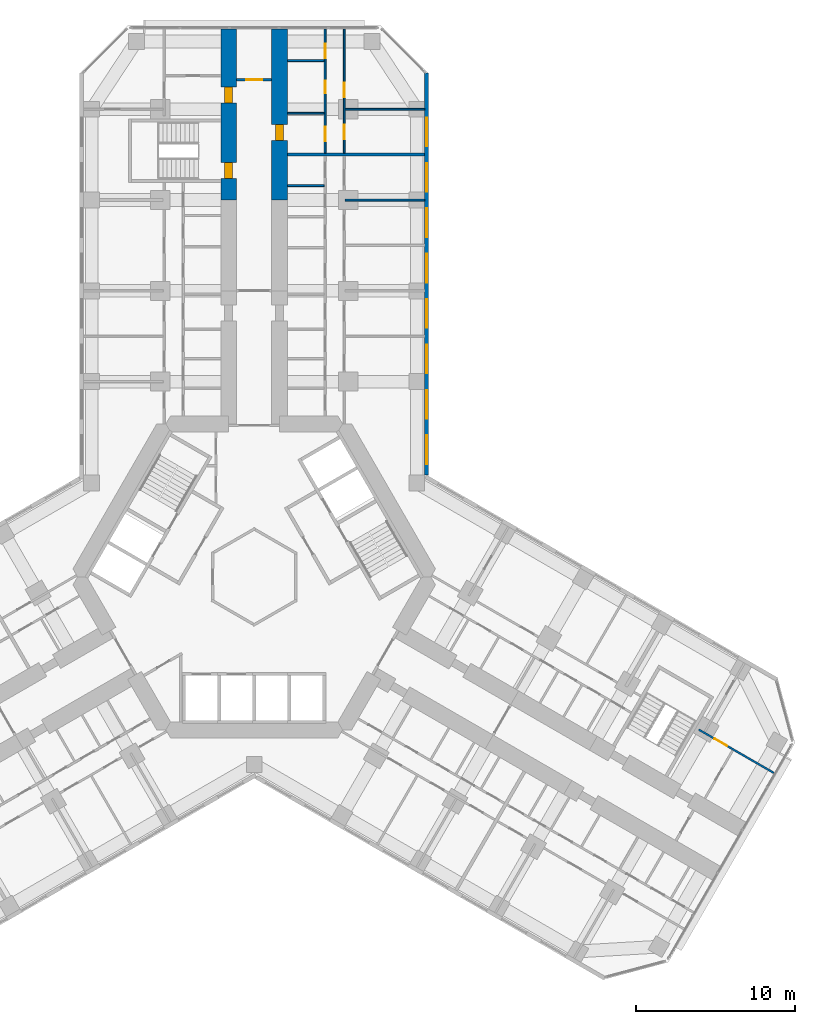
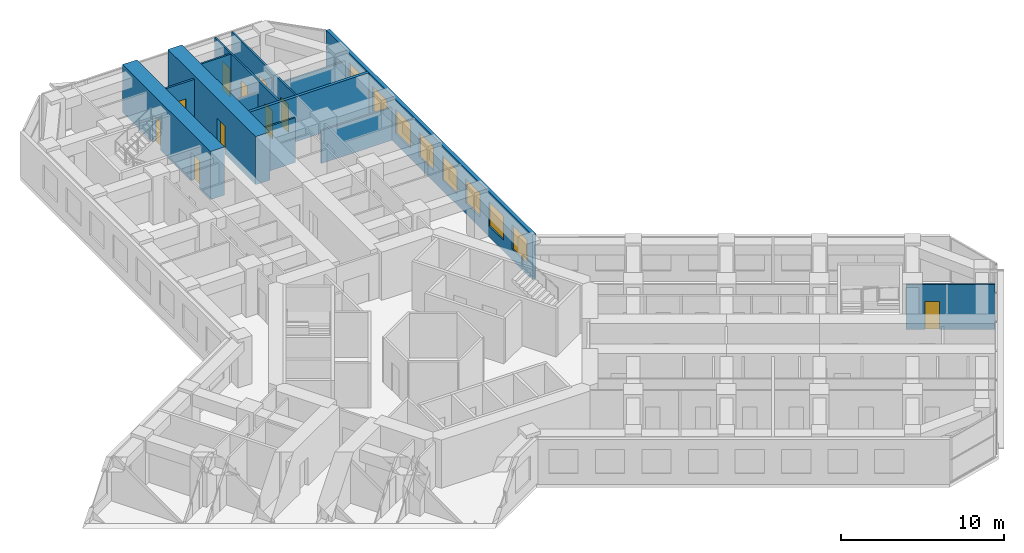
# One storey, part 19 of 21: 13 walls, 10 doors, 8 windows, 18 openings.
"""IFC4 building model written with IfcOpenShell, lengths in metres."""

from ifc_helpers import new_model, si_unit, direction, frame, frame_2d, origin, place, context, subcontext, project, spatial, rectangle, extrude, material, layer, layer_set, type_object, element, fill, save


model = new_model("IFC4")

# Units and contexts
model_context = context("Model", 3, precision=1e-05, world=origin(), true_north=direction((0.0, 1.0)))
body_context = subcontext(model_context, "Body", "Model", "MODEL_VIEW")
ifc_project = project(units=[si_unit("LENGTHUNIT", "METRE"), si_unit("AREAUNIT", "SQUARE_METRE"), si_unit("VOLUMEUNIT", "CUBIC_METRE"), si_unit("PLANEANGLEUNIT", "RADIAN"), si_unit("MASSUNIT", "GRAM", prefix="KILO")], contexts=[model_context])

# Site, building, storey
site_placement = place(None, origin())
site = spatial("IfcSite", under=ifc_project, at=site_placement, CompositionType="ELEMENT")
building_placement = place(site_placement, origin())
building = spatial("IfcBuilding", under=site, at=building_placement, Name="Kosmar Iwan School Tower", CompositionType="ELEMENT")
storey_placement = place(building_placement, frame((0.0, 0.0, 53.800048828125)))
storey = spatial("IfcBuildingStorey", under=building, at=storey_placement, Name="L12", CompositionType="ELEMENT", Elevation=53.800048828125)

# Wall, openings, doors
ifc_material_1 = material(Name="Concrete C50/60", Category="concrete")
ifc_layer_1 = layer(ifc_material_1, 1.0)
ifc_layer_set_1 = layer_set([ifc_layer_1], Name="Corridor buttress wall 1000")
wall_type_1 = type_object("IfcWallType", Name="Corridor buttress wall 1000", PredefinedType="SHEAR", material=ifc_layer_set_1)
wall_1_placement = place(storey_placement, frame((-1.60009765625, 23.64990234375, 0.0), z_axis=(0.0, 0.0, 1.0), x_axis=(0.0, 1.0, 0.0)))
wall_1 = element("IfcWall", 1, at=wall_1_placement, inside=storey, type_object=wall_type_1, Name="Corridor wall AL bay 3", PredefinedType="SHEAR", context=body_context, shape_type="SweptSolid", body=[
    extrude(rectangle(XDim=10.7451171875, YDim=1.0, at=frame_2d((5.37255859375, 0.0))), origin(), (0.0, 0.0, 1.0), 3.599853515625),
])
opening_1_placement = place(wall_1_placement, frame((6.10009765625, 0.0, 0.0)))
opening_1 = element("IfcOpeningElement", 2, at=opening_1_placement, cuts=wall_1, Name="Opening D1", PredefinedType="OPENING", context=body_context, shape_type="SweptSolid", body=[
    extrude(rectangle(XDim=1.0, YDim=2.10009765625, at=frame_2d((0.5, 1.050048828125))), frame((0.0, 0.511962890625, 0.0), z_axis=(0.0, -1.0, 0.0), x_axis=(1.0, 0.0, 0.0)), (0.0, 0.0, 1.0), 1.02392578125),
])
opening_2_placement = place(wall_1_placement, frame((1.35009765625, 0.0, 0.0)))
opening_2 = element("IfcOpeningElement", 3, at=opening_2_placement, cuts=wall_1, Name="Opening D6", PredefinedType="OPENING", context=body_context, shape_type="SweptSolid", body=[
    extrude(rectangle(XDim=1.0, YDim=2.10009765625, at=frame_2d((0.5, 1.050048828125))), frame((0.0, 0.511962890625, 0.0), z_axis=(0.0, -1.0, 0.0), x_axis=(1.0, 0.0, 0.0)), (0.0, 0.0, 1.0), 1.02392578125),
])
ifc_material_2 = material(Name="Timber fire door in steel frame", Category="steel")
door_type_1 = type_object("IfcDoorType", Name="Flat entrance door 1000x2100", OperationType="SINGLE_SWING_LEFT", PredefinedType="DOOR", material=ifc_material_2)
door_1_placement = place(opening_1_placement, origin())
door_1 = element("IfcDoor", 4, at=door_1_placement, inside=storey, type_object=door_type_1, Name="Flat L12-AL2 entrance door", OperationType="SINGLE_SWING_RIGHT", OverallHeight=2.10009765625, OverallWidth=1.0, PredefinedType="DOOR", context=body_context, shape_type="SweptSolid", body=[
    extrude(rectangle(XDim=1.0, YDim=2.10009765625, at=frame_2d((0.5, 1.050048828125))), frame((0.0, 0.25, 0.0), z_axis=(0.0, -1.0, 0.0), x_axis=(1.0, 0.0, 0.0)), (0.0, 0.0, 1.0), 0.5),
])
fill(opening_1, door_1)
ifc_material_3 = material(Name="Steel fire door", Category="steel")
door_type_2 = type_object("IfcDoorType", Name="Stair door 1000x2100", OperationType="SINGLE_SWING_LEFT", PredefinedType="DOOR", material=ifc_material_3)
door_2_placement = place(opening_2_placement, origin())
door_2 = element("IfcDoor", 5, at=door_2_placement, inside=storey, type_object=door_type_2, Name="Stair WS1 door L12", OperationType="SINGLE_SWING_LEFT", OverallHeight=2.10009765625, OverallWidth=1.0, PredefinedType="DOOR", context=body_context, shape_type="SweptSolid", body=[
    extrude(rectangle(XDim=1.0, YDim=2.10009765625, at=frame_2d((0.5, 1.050048828125))), frame((0.0, 0.25, 0.0), z_axis=(0.0, -1.0, 0.0), x_axis=(1.0, 0.0, 0.0)), (0.0, 0.0, 1.0), 0.5),
])
fill(opening_2, door_2)

# Wall, opening, door
wall_2_placement = place(storey_placement, frame((1.60009765625, 23.64990234375, 0.0), z_axis=(0.0, 0.0, 1.0), x_axis=(0.0, 1.0, 0.0)))
wall_2 = element("IfcWall", 6, at=wall_2_placement, inside=storey, type_object=wall_type_1, Name="Corridor wall AR bay 3", PredefinedType="SHEAR", context=body_context, shape_type="SweptSolid", body=[
    extrude(rectangle(XDim=10.7451171875, YDim=1.0, at=frame_2d((5.37255859375, 0.0))), origin(), (0.0, 0.0, 1.0), 3.599853515625),
])
opening_3_placement = place(wall_2_placement, frame((3.75, 0.0, 0.0)))
opening_3 = element("IfcOpeningElement", 7, at=opening_3_placement, cuts=wall_2, Name="Opening D1", PredefinedType="OPENING", context=body_context, shape_type="SweptSolid", body=[
    extrude(rectangle(XDim=1.0, YDim=2.10009765625, at=frame_2d((0.5, 1.050048828125))), frame((0.0, 0.511962890625, 0.0), z_axis=(0.0, -1.0, 0.0), x_axis=(1.0, 0.0, 0.0)), (0.0, 0.0, 1.0), 1.02392578125),
])
door_3_placement = place(opening_3_placement, origin())
door_3 = element("IfcDoor", 8, at=door_3_placement, inside=storey, type_object=door_type_1, Name="Flat L12-AR2 entrance door", OperationType="SINGLE_SWING_RIGHT", OverallHeight=2.10009765625, OverallWidth=1.0, PredefinedType="DOOR", context=body_context, shape_type="SweptSolid", body=[
    extrude(rectangle(XDim=1.0, YDim=2.10009765625, at=frame_2d((0.5, 1.050048828125))), frame((0.0, 0.25, 0.0), z_axis=(0.0, -1.0, 0.0), x_axis=(1.0, 0.0, 0.0)), (0.0, 0.0, 1.0), 0.5),
])
fill(opening_3, door_3)

ifc_material_4 = material(Name="Gypsum board on steel studs, fire-rated", Category="steel")
ifc_layer_2 = layer(ifc_material_4, 0.14990234375)
ifc_layer_set_2 = layer_set([ifc_layer_2], Name="Corridor end wall 150")
wall_type_2 = type_object("IfcWallType", Name="Corridor end wall 150", PredefinedType="PARTITIONING", material=ifc_layer_set_2)
wall_3_placement = place(storey_placement, frame((1.10009765625, 31.199951171875, 0.0), z_axis=(0.0, 0.0, 1.0), x_axis=(-1.0, 0.0, 0.0)))
wall_3 = element("IfcWall", 9, at=wall_3_placement, inside=storey, type_object=wall_type_2, Name="Partition L12-A-CE", PredefinedType="PARTITIONING", context=body_context, shape_type="SweptSolid", body=[
    extrude(rectangle(XDim=2.2001953125, YDim=0.14990234375, at=frame_2d((1.10009765625, 0.0))), origin(), (0.0, 0.0, 1.0), 3.349853515625),
])
opening_4_placement = place(wall_3_placement, frame((0.60009765625, 0.0, 0.0)))
opening_4 = element("IfcOpeningElement", 10, at=opening_4_placement, cuts=wall_3, Name="Opening D13", PredefinedType="OPENING", context=body_context, shape_type="SweptSolid", body=[
    extrude(rectangle(XDim=1.0, YDim=2.10009765625, at=frame_2d((0.5, 1.050048828125))), frame((0.0, 0.0869140625, 0.0), z_axis=(0.0, -1.0, 0.0), x_axis=(1.0, 0.0, 0.0)), (0.0, 0.0, 1.0), 0.173828125),
])
ifc_material_5 = material(Name="Timber fire door with vision panel", Category="wood")
door_type_3 = type_object("IfcDoorType", Name="Corridor end door 1000x2100", OperationType="SINGLE_SWING_LEFT", PredefinedType="DOOR", material=ifc_material_5)
door_4_placement = place(opening_4_placement, origin())
door_4 = element("IfcDoor", 11, at=door_4_placement, inside=storey, type_object=door_type_3, Name="Family study room door L12-A", OperationType="SINGLE_SWING_RIGHT", OverallHeight=2.10009765625, OverallWidth=1.0, PredefinedType="DOOR", context=body_context, shape_type="SweptSolid", body=[
    extrude(rectangle(XDim=1.0, YDim=2.10009765625, at=frame_2d((0.5, 1.050048828125))), frame((0.0, 0.02490234375, 0.0), z_axis=(0.0, -1.0, 0.0), x_axis=(1.0, 0.0, 0.0)), (0.0, 0.0, 1.0), 0.050048828125),
])
fill(opening_4, door_4)

# Walls
ifc_material_6 = material(Name="Gypsum board on steel studs", Category="steel")
ifc_layer_3 = layer(ifc_material_6, 0.1201171875)
ifc_layer_set_3 = layer_set([ifc_layer_3], Name="Dwelling partition 120")
wall_type_3 = type_object("IfcWallType", Name="Dwelling partition 120", PredefinedType="PARTITIONING", material=ifc_layer_set_3)
wall_4_placement = place(storey_placement, frame((5.7099609375, 23.64990234375, 0.0), z_axis=(0.0, 0.0, 1.0), x_axis=(1.0, 0.0, 0.0)))
element("IfcWall", 12, at=wall_4_placement, inside=storey, type_object=wall_type_3, Name="Partition L12-AR1-X4", PredefinedType="PARTITIONING", context=body_context, shape_type="SweptSolid", body=[
    extrude(rectangle(XDim=4.989990234375, YDim=0.1201171875, at=frame_2d((2.4951171875, 0.0))), origin(), (0.0, 0.0, 1.0), 2.449951171875),
])
wall_5_placement = place(storey_placement, frame((2.10009765625, 24.5556640625, 0.0), z_axis=(0.0, 0.0, 1.0), x_axis=(1.0, 0.0, 0.0)))
element("IfcWall", 13, at=wall_5_placement, inside=storey, type_object=wall_type_3, Name="Partition L12-AR1-Y7", PredefinedType="PARTITIONING", context=body_context, shape_type="SweptSolid", body=[
    extrude(rectangle(XDim=2.289794921875, YDim=0.1201171875, at=frame_2d((1.14501953125, 0.0))), origin(), (0.0, 0.0, 1.0), 3.349853515625),
])

# Wall, openings, doors
wall_6_placement = place(storey_placement, frame((4.449951171875, 26.60009765625, 0.0), z_axis=(0.0, 0.0, 1.0), x_axis=(0.0, 1.0, 0.0)))
wall_6 = element("IfcWall", 14, at=wall_6_placement, inside=storey, type_object=wall_type_3, Name="Partition L12-AR2-W1", PredefinedType="PARTITIONING", context=body_context, shape_type="SweptSolid", body=[
    extrude(rectangle(XDim=7.794921875, YDim=0.1201171875, at=frame_2d((3.8974609375, 0.0))), origin(), (0.0, 0.0, 1.0), 3.349853515625),
])
opening_5_placement = place(wall_6_placement, frame((0.75, 0.0, 0.0)))
opening_5 = element("IfcOpeningElement", 15, at=opening_5_placement, cuts=wall_6, Name="Opening D2", PredefinedType="OPENING", context=body_context, shape_type="SweptSolid", body=[
    extrude(rectangle(XDim=0.89990234375, YDim=2.10009765625, at=frame_2d((0.449951171875, 1.050048828125))), frame((0.0, 0.072021484375, 0.0), z_axis=(0.0, -1.0, 0.0), x_axis=(1.0, 0.0, 0.0)), (0.0, 0.0, 1.0), 0.14404296875),
])
opening_6_placement = place(wall_6_placement, frame((3.75, 0.0, 0.0)))
opening_6 = element("IfcOpeningElement", 16, at=opening_6_placement, cuts=wall_6, Name="Opening D3", PredefinedType="OPENING", context=body_context, shape_type="SweptSolid", body=[
    extrude(rectangle(XDim=0.800048828125, YDim=2.10009765625, at=frame_2d((0.39990234375, 1.050048828125))), frame((0.0, 0.072021484375, 0.0), z_axis=(0.0, -1.0, 0.0), x_axis=(1.0, 0.0, 0.0)), (0.0, 0.0, 1.0), 0.14404296875),
])
opening_7_placement = place(wall_6_placement, frame((5.9599609375, 0.0, 0.0)))
opening_7 = element("IfcOpeningElement", 17, at=opening_7_placement, cuts=wall_6, Name="Opening D2", PredefinedType="OPENING", context=body_context, shape_type="SweptSolid", body=[
    extrude(rectangle(XDim=0.89990234375, YDim=2.10009765625, at=frame_2d((0.449951171875, 1.050048828125))), frame((0.0, 0.072021484375, 0.0), z_axis=(0.0, -1.0, 0.0), x_axis=(1.0, 0.0, 0.0)), (0.0, 0.0, 1.0), 0.14404296875),
])
ifc_material_7 = material(Name="Timber door in timber frame", Category="wood")
door_type_4 = type_object("IfcDoorType", Name="Internal door 900x2100", OperationType="SINGLE_SWING_LEFT", PredefinedType="DOOR", material=ifc_material_7)
door_5_placement = place(opening_5_placement, origin())
door_5 = element("IfcDoor", 18, at=door_5_placement, inside=storey, type_object=door_type_4, Name="Entrance hall door L12-AR2-S1", OperationType="SINGLE_SWING_RIGHT", OverallHeight=2.10009765625, OverallWidth=0.89990234375, PredefinedType="DOOR", context=body_context, shape_type="SweptSolid", body=[
    extrude(rectangle(XDim=0.89990234375, YDim=2.10009765625, at=frame_2d((0.449951171875, 1.050048828125))), frame((0.0, 0.02490234375, 0.0), z_axis=(0.0, -1.0, 0.0), x_axis=(1.0, 0.0, 0.0)), (0.0, 0.0, 1.0), 0.050048828125),
])
fill(opening_5, door_5)
door_6_placement = place(opening_7_placement, origin())
door_6 = element("IfcDoor", 19, at=door_6_placement, inside=storey, type_object=door_type_4, Name="Pantry door L12-AR2-S3", OperationType="SINGLE_SWING_LEFT", OverallHeight=2.10009765625, OverallWidth=0.89990234375, PredefinedType="DOOR", context=body_context, shape_type="SweptSolid", body=[
    extrude(rectangle(XDim=0.89990234375, YDim=2.10009765625, at=frame_2d((0.449951171875, 1.050048828125))), frame((0.0, 0.02490234375, 0.0), z_axis=(0.0, -1.0, 0.0), x_axis=(1.0, 0.0, 0.0)), (0.0, 0.0, 1.0), 0.050048828125),
])
fill(opening_7, door_6)
ifc_material_8 = material(Name="Timber door in timber frame", Category="wood")
door_type_5 = type_object("IfcDoorType", Name="Sanitary room door 800x2100", OperationType="SINGLE_SWING_LEFT", PredefinedType="DOOR", material=ifc_material_8)
door_7_placement = place(opening_6_placement, origin())
door_7 = element("IfcDoor", 20, at=door_7_placement, inside=storey, type_object=door_type_5, Name="Bathroom door L12-AR2-S2", OperationType="SINGLE_SWING_LEFT", OverallHeight=2.10009765625, OverallWidth=0.800048828125, PredefinedType="DOOR", context=body_context, shape_type="SweptSolid", body=[
    extrude(rectangle(XDim=0.800048828125, YDim=2.10009765625, at=frame_2d((0.39990234375, 1.050048828125))), frame((0.0, 0.02490234375, 0.0), z_axis=(0.0, -1.0, 0.0), x_axis=(1.0, 0.0, 0.0)), (0.0, 0.0, 1.0), 0.050048828125),
])
fill(opening_6, door_7)

wall_7_placement = place(storey_placement, frame((5.64990234375, 26.60009765625, 0.0), z_axis=(0.0, 0.0, 1.0), x_axis=(0.0, 1.0, 0.0)))
wall_7 = element("IfcWall", 21, at=wall_7_placement, inside=storey, type_object=wall_type_3, Name="Partition L12-AR2-W2", PredefinedType="PARTITIONING", context=body_context, shape_type="SweptSolid", body=[
    extrude(rectangle(XDim=7.794921875, YDim=0.1201171875, at=frame_2d((3.8974609375, 0.0))), origin(), (0.0, 0.0, 1.0), 3.349853515625),
])
opening_8_placement = place(wall_7_placement, frame((0.875, 0.0, 0.0)))
opening_8 = element("IfcOpeningElement", 22, at=opening_8_placement, cuts=wall_7, Name="Opening D2", PredefinedType="OPENING", context=body_context, shape_type="SweptSolid", body=[
    extrude(rectangle(XDim=0.89990234375, YDim=2.10009765625, at=frame_2d((0.449951171875, 1.050048828125))), frame((0.0, 0.072021484375, 0.0), z_axis=(0.0, -1.0, 0.0), x_axis=(1.0, 0.0, 0.0)), (0.0, 0.0, 1.0), 0.14404296875),
])
opening_9_placement = place(wall_7_placement, frame((3.5, 0.0, 0.0)))
opening_9 = element("IfcOpeningElement", 23, at=opening_9_placement, cuts=wall_7, Name="Opening D2", PredefinedType="OPENING", context=body_context, shape_type="SweptSolid", body=[
    extrude(rectangle(XDim=0.89990234375, YDim=2.10009765625, at=frame_2d((0.449951171875, 1.050048828125))), frame((0.0, 0.072021484375, 0.0), z_axis=(0.0, -1.0, 0.0), x_axis=(1.0, 0.0, 0.0)), (0.0, 0.0, 1.0), 0.14404296875),
])
door_8_placement = place(opening_8_placement, origin())
door_8 = element("IfcDoor", 24, at=door_8_placement, inside=storey, type_object=door_type_4, Name="Bedroom 1 door L12-AR2-F1", OperationType="SINGLE_SWING_LEFT", OverallHeight=2.10009765625, OverallWidth=0.89990234375, PredefinedType="DOOR", context=body_context, shape_type="SweptSolid", body=[
    extrude(rectangle(XDim=0.89990234375, YDim=2.10009765625, at=frame_2d((0.449951171875, 1.050048828125))), frame((0.0, 0.02490234375, 0.0), z_axis=(0.0, -1.0, 0.0), x_axis=(1.0, 0.0, 0.0)), (0.0, 0.0, 1.0), 0.050048828125),
])
fill(opening_8, door_8)
door_9_placement = place(opening_9_placement, origin())
door_9 = element("IfcDoor", 25, at=door_9_placement, inside=storey, type_object=door_type_4, Name="Living room and kitchen door L12-AR2-F2", OperationType="SINGLE_SWING_RIGHT", OverallHeight=2.10009765625, OverallWidth=0.89990234375, PredefinedType="DOOR", context=body_context, shape_type="SweptSolid", body=[
    extrude(rectangle(XDim=0.89990234375, YDim=2.10009765625, at=frame_2d((0.449951171875, 1.050048828125))), frame((0.0, 0.02490234375, 0.0), z_axis=(0.0, -1.0, 0.0), x_axis=(1.0, 0.0, 0.0)), (0.0, 0.0, 1.0), 0.050048828125),
])
fill(opening_9, door_9)

# Walls
wall_8_placement = place(storey_placement, frame((5.7099609375, 29.35009765625, 0.0), z_axis=(0.0, 0.0, 1.0), x_axis=(1.0, 0.0, 0.0)))
element("IfcWall", 26, at=wall_8_placement, inside=storey, type_object=wall_type_3, Name="Partition L12-AR2-X1", PredefinedType="PARTITIONING", context=body_context, shape_type="SweptSolid", body=[
    extrude(rectangle(XDim=4.989990234375, YDim=0.1201171875, at=frame_2d((2.4951171875, 0.0))), origin(), (0.0, 0.0, 1.0), 2.449951171875),
])
wall_9_placement = place(storey_placement, frame((2.10009765625, 29.10009765625, 0.0), z_axis=(0.0, 0.0, 1.0), x_axis=(1.0, 0.0, 0.0)))
element("IfcWall", 27, at=wall_9_placement, inside=storey, type_object=wall_type_3, Name="Partition L12-AR2-Y1", PredefinedType="PARTITIONING", context=body_context, shape_type="SweptSolid", body=[
    extrude(rectangle(XDim=2.289794921875, YDim=0.1201171875, at=frame_2d((1.14501953125, 0.0))), origin(), (0.0, 0.0, 1.0), 2.449951171875),
])
wall_10_placement = place(storey_placement, frame((2.10009765625, 32.39990234375, 0.0), z_axis=(0.0, 0.0, 1.0), x_axis=(1.0, 0.0, 0.0)))
element("IfcWall", 28, at=wall_10_placement, inside=storey, type_object=wall_type_3, Name="Partition L12-AR2-Y2", PredefinedType="PARTITIONING", context=body_context, shape_type="SweptSolid", body=[
    extrude(rectangle(XDim=2.289794921875, YDim=0.1201171875, at=frame_2d((1.14501953125, 0.0))), origin(), (0.0, 0.0, 1.0), 3.349853515625),
])

# Wall, opening, door
wall_11_placement = place(storey_placement, frame((27.896484375, -9.58203125, 0.0), z_axis=(0.0, 0.0, 1.0), x_axis=(0.866035508231, -0.499982498177, 0.0)))
wall_11 = element("IfcWall", 29, at=wall_11_placement, inside=storey, type_object=wall_type_3, Name="Partition L12-CL2-TW", PredefinedType="PARTITIONING", context=body_context, shape_type="SweptSolid", body=[
    extrude(rectangle(XDim=5.445068359375, YDim=0.1201171875, at=frame_2d((2.72265625, 0.0))), origin(), (0.0, 0.0, 1.0), 3.349853515625),
])
opening_10_placement = place(wall_11_placement, frame((1.14990234375, 0.0, 0.0)))
opening_10 = element("IfcOpeningElement", 30, at=opening_10_placement, cuts=wall_11, Name="Opening D2", PredefinedType="OPENING", context=body_context, shape_type="SweptSolid", body=[
    extrude(rectangle(XDim=0.89990234375, YDim=2.10009765625, at=frame_2d((0.449951171875, 1.050048828125))), frame((0.0, 0.072021484375, 0.0), z_axis=(0.0, -1.0, 0.0), x_axis=(1.0, 0.0, 0.0)), (0.0, 0.0, 1.0), 0.14404296875),
])
door_10_placement = place(opening_10_placement, origin())
door_10 = element("IfcDoor", 31, at=door_10_placement, inside=storey, type_object=door_type_4, Name="Entrance hall door L12-CL2-T3", OperationType="SINGLE_SWING_LEFT", OverallHeight=2.10009765625, OverallWidth=0.89990234375, PredefinedType="DOOR", context=body_context, shape_type="SweptSolid", body=[
    extrude(rectangle(XDim=0.89990234375, YDim=2.10009765625, at=frame_2d((0.449951171875, 1.050048828125))), frame((0.0, 0.02490234375, 0.0), z_axis=(0.0, -1.0, 0.0), x_axis=(1.0, 0.0, 0.0)), (0.0, 0.0, 1.0), 0.050048828125),
])
fill(opening_10, door_10)

# Wall, openings, windows
ifc_material_9 = material(Name="Black aluminium rainscreen on insulated framing", Category="aluminium")
ifc_layer_4 = layer(ifc_material_9, 0.25)
ifc_layer_set_4 = layer_set([ifc_layer_4], Name="External wall rainscreen 250")
wall_type_4 = type_object("IfcWallType", Name="External wall rainscreen 250", PredefinedType="SOLIDWALL", material=ifc_layer_set_4)
wall_12_placement = place(storey_placement, frame((10.824951171875, 6.39404296875, 0.0), z_axis=(0.0, 0.0, 1.0), x_axis=(0.0, 1.0, 0.0)))
wall_12 = element("IfcWall", 32, at=wall_12_placement, inside=storey, type_object=wall_type_4, Name="External wall AR L12", PredefinedType="SOLIDWALL", context=body_context, shape_type="SweptSolid", body=[
    extrude(rectangle(XDim=25.2412109375, YDim=0.25, at=frame_2d((12.62060546875, 0.0))), origin(), (0.0, 0.0, 1.0), 3.349853515625),
])
opening_11_placement = place(wall_12_placement, frame((0.680908203125, 0.0, 0.800048828125)))
opening_11 = element("IfcOpeningElement", 33, at=opening_11_placement, cuts=wall_12, Name="Opening W1", PredefinedType="OPENING", context=body_context, shape_type="SweptSolid", body=[
    extrude(rectangle(XDim=1.800048828125, YDim=1.800048828125, at=frame_2d((0.89990234375, 0.89990234375))), frame((0.0, 0.136962890625, 0.0), z_axis=(0.0, -1.0, 0.0), x_axis=(1.0, 0.0, 0.0)), (0.0, 0.0, 1.0), 0.27392578125),
])
opening_12_placement = place(wall_12_placement, frame((3.53076171875, 0.0, 0.800048828125)))
opening_12 = element("IfcOpeningElement", 34, at=opening_12_placement, cuts=wall_12, Name="Opening W1", PredefinedType="OPENING", context=body_context, shape_type="SweptSolid", body=[
    extrude(rectangle(XDim=1.800048828125, YDim=1.800048828125, at=frame_2d((0.89990234375, 0.89990234375))), frame((0.0, 0.136962890625, 0.0), z_axis=(0.0, -1.0, 0.0), x_axis=(1.0, 0.0, 0.0)), (0.0, 0.0, 1.0), 0.27392578125),
])
opening_13_placement = place(wall_12_placement, frame((6.380859375, 0.0, 0.800048828125)))
opening_13 = element("IfcOpeningElement", 35, at=opening_13_placement, cuts=wall_12, Name="Opening W1", PredefinedType="OPENING", context=body_context, shape_type="SweptSolid", body=[
    extrude(rectangle(XDim=1.800048828125, YDim=1.800048828125, at=frame_2d((0.89990234375, 0.89990234375))), frame((0.0, 0.136962890625, 0.0), z_axis=(0.0, -1.0, 0.0), x_axis=(1.0, 0.0, 0.0)), (0.0, 0.0, 1.0), 0.27392578125),
])
opening_14_placement = place(wall_12_placement, frame((9.23095703125, 0.0, 0.800048828125)))
opening_14 = element("IfcOpeningElement", 36, at=opening_14_placement, cuts=wall_12, Name="Opening W1", PredefinedType="OPENING", context=body_context, shape_type="SweptSolid", body=[
    extrude(rectangle(XDim=1.800048828125, YDim=1.800048828125, at=frame_2d((0.89990234375, 0.89990234375))), frame((0.0, 0.136962890625, 0.0), z_axis=(0.0, -1.0, 0.0), x_axis=(1.0, 0.0, 0.0)), (0.0, 0.0, 1.0), 0.27392578125),
])
opening_15_placement = place(wall_12_placement, frame((12.080810546875, 0.0, 0.800048828125)))
opening_15 = element("IfcOpeningElement", 37, at=opening_15_placement, cuts=wall_12, Name="Opening W1", PredefinedType="OPENING", context=body_context, shape_type="SweptSolid", body=[
    extrude(rectangle(XDim=1.800048828125, YDim=1.800048828125, at=frame_2d((0.89990234375, 0.89990234375))), frame((0.0, 0.136962890625, 0.0), z_axis=(0.0, -1.0, 0.0), x_axis=(1.0, 0.0, 0.0)), (0.0, 0.0, 1.0), 0.27392578125),
])
opening_16_placement = place(wall_12_placement, frame((14.930908203125, 0.0, 0.800048828125)))
opening_16 = element("IfcOpeningElement", 38, at=opening_16_placement, cuts=wall_12, Name="Opening W1", PredefinedType="OPENING", context=body_context, shape_type="SweptSolid", body=[
    extrude(rectangle(XDim=1.800048828125, YDim=1.800048828125, at=frame_2d((0.89990234375, 0.89990234375))), frame((0.0, 0.136962890625, 0.0), z_axis=(0.0, -1.0, 0.0), x_axis=(1.0, 0.0, 0.0)), (0.0, 0.0, 1.0), 0.27392578125),
])
opening_17_placement = place(wall_12_placement, frame((17.78076171875, 0.0, 0.800048828125)))
opening_17 = element("IfcOpeningElement", 39, at=opening_17_placement, cuts=wall_12, Name="Opening W1", PredefinedType="OPENING", context=body_context, shape_type="SweptSolid", body=[
    extrude(rectangle(XDim=1.800048828125, YDim=1.800048828125, at=frame_2d((0.89990234375, 0.89990234375))), frame((0.0, 0.136962890625, 0.0), z_axis=(0.0, -1.0, 0.0), x_axis=(1.0, 0.0, 0.0)), (0.0, 0.0, 1.0), 0.27392578125),
])
opening_18_placement = place(wall_12_placement, frame((20.630859375, 0.0, 0.800048828125)))
opening_18 = element("IfcOpeningElement", 40, at=opening_18_placement, cuts=wall_12, Name="Opening W1", PredefinedType="OPENING", context=body_context, shape_type="SweptSolid", body=[
    extrude(rectangle(XDim=1.800048828125, YDim=1.800048828125, at=frame_2d((0.89990234375, 0.89990234375))), frame((0.0, 0.136962890625, 0.0), z_axis=(0.0, -1.0, 0.0), x_axis=(1.0, 0.0, 0.0)), (0.0, 0.0, 1.0), 0.27392578125),
])
ifc_material_10 = material(Name="Black aluminium frame with dark triple glazing", Category="aluminium")
window_type = type_object("IfcWindowType", Name="Window 1800x1800", PartitioningType="SINGLE_PANEL", PredefinedType="WINDOW", material=ifc_material_10)
window_1_placement = place(opening_11_placement, origin())
window_1 = element("IfcWindow", 41, at=window_1_placement, inside=storey, type_object=window_type, Name="Window AR L12 -1", OverallHeight=1.800048828125, OverallWidth=1.800048828125, PartitioningType="SINGLE_PANEL", PredefinedType="WINDOW", context=body_context, shape_type="SweptSolid", body=[
    extrude(rectangle(XDim=1.800048828125, YDim=1.800048828125, at=frame_2d((0.89990234375, 0.89990234375))), frame((0.0, 0.030029296875, 0.0), z_axis=(0.0, -1.0, 0.0), x_axis=(1.0, 0.0, 0.0)), (0.0, 0.0, 1.0), 0.06005859375),
])
fill(opening_11, window_1)
window_2_placement = place(opening_12_placement, origin())
window_2 = element("IfcWindow", 42, at=window_2_placement, inside=storey, type_object=window_type, Name="Window AR L12 0", OverallHeight=1.800048828125, OverallWidth=1.800048828125, PartitioningType="SINGLE_PANEL", PredefinedType="WINDOW", context=body_context, shape_type="SweptSolid", body=[
    extrude(rectangle(XDim=1.800048828125, YDim=1.800048828125, at=frame_2d((0.89990234375, 0.89990234375))), frame((0.0, 0.030029296875, 0.0), z_axis=(0.0, -1.0, 0.0), x_axis=(1.0, 0.0, 0.0)), (0.0, 0.0, 1.0), 0.06005859375),
])
fill(opening_12, window_2)
window_3_placement = place(opening_13_placement, origin())
window_3 = element("IfcWindow", 43, at=window_3_placement, inside=storey, type_object=window_type, Name="Window AR L12 1", OverallHeight=1.800048828125, OverallWidth=1.800048828125, PartitioningType="SINGLE_PANEL", PredefinedType="WINDOW", context=body_context, shape_type="SweptSolid", body=[
    extrude(rectangle(XDim=1.800048828125, YDim=1.800048828125, at=frame_2d((0.89990234375, 0.89990234375))), frame((0.0, 0.030029296875, 0.0), z_axis=(0.0, -1.0, 0.0), x_axis=(1.0, 0.0, 0.0)), (0.0, 0.0, 1.0), 0.06005859375),
])
fill(opening_13, window_3)
window_4_placement = place(opening_14_placement, origin())
window_4 = element("IfcWindow", 44, at=window_4_placement, inside=storey, type_object=window_type, Name="Window AR L12 2", OverallHeight=1.800048828125, OverallWidth=1.800048828125, PartitioningType="SINGLE_PANEL", PredefinedType="WINDOW", context=body_context, shape_type="SweptSolid", body=[
    extrude(rectangle(XDim=1.800048828125, YDim=1.800048828125, at=frame_2d((0.89990234375, 0.89990234375))), frame((0.0, 0.030029296875, 0.0), z_axis=(0.0, -1.0, 0.0), x_axis=(1.0, 0.0, 0.0)), (0.0, 0.0, 1.0), 0.06005859375),
])
fill(opening_14, window_4)
window_5_placement = place(opening_15_placement, origin())
window_5 = element("IfcWindow", 45, at=window_5_placement, inside=storey, type_object=window_type, Name="Window AR L12 3", OverallHeight=1.800048828125, OverallWidth=1.800048828125, PartitioningType="SINGLE_PANEL", PredefinedType="WINDOW", context=body_context, shape_type="SweptSolid", body=[
    extrude(rectangle(XDim=1.800048828125, YDim=1.800048828125, at=frame_2d((0.89990234375, 0.89990234375))), frame((0.0, 0.030029296875, 0.0), z_axis=(0.0, -1.0, 0.0), x_axis=(1.0, 0.0, 0.0)), (0.0, 0.0, 1.0), 0.06005859375),
])
fill(opening_15, window_5)
window_6_placement = place(opening_16_placement, origin())
window_6 = element("IfcWindow", 46, at=window_6_placement, inside=storey, type_object=window_type, Name="Window AR L12 4", OverallHeight=1.800048828125, OverallWidth=1.800048828125, PartitioningType="SINGLE_PANEL", PredefinedType="WINDOW", context=body_context, shape_type="SweptSolid", body=[
    extrude(rectangle(XDim=1.800048828125, YDim=1.800048828125, at=frame_2d((0.89990234375, 0.89990234375))), frame((0.0, 0.030029296875, 0.0), z_axis=(0.0, -1.0, 0.0), x_axis=(1.0, 0.0, 0.0)), (0.0, 0.0, 1.0), 0.06005859375),
])
fill(opening_16, window_6)
window_7_placement = place(opening_17_placement, origin())
window_7 = element("IfcWindow", 47, at=window_7_placement, inside=storey, type_object=window_type, Name="Window AR L12 5", OverallHeight=1.800048828125, OverallWidth=1.800048828125, PartitioningType="SINGLE_PANEL", PredefinedType="WINDOW", context=body_context, shape_type="SweptSolid", body=[
    extrude(rectangle(XDim=1.800048828125, YDim=1.800048828125, at=frame_2d((0.89990234375, 0.89990234375))), frame((0.0, 0.030029296875, 0.0), z_axis=(0.0, -1.0, 0.0), x_axis=(1.0, 0.0, 0.0)), (0.0, 0.0, 1.0), 0.06005859375),
])
fill(opening_17, window_7)
window_8_placement = place(opening_18_placement, origin())
window_8 = element("IfcWindow", 48, at=window_8_placement, inside=storey, type_object=window_type, Name="Window AR L12 6", OverallHeight=1.800048828125, OverallWidth=1.800048828125, PartitioningType="SINGLE_PANEL", PredefinedType="WINDOW", context=body_context, shape_type="SweptSolid", body=[
    extrude(rectangle(XDim=1.800048828125, YDim=1.800048828125, at=frame_2d((0.89990234375, 0.89990234375))), frame((0.0, 0.030029296875, 0.0), z_axis=(0.0, -1.0, 0.0), x_axis=(1.0, 0.0, 0.0)), (0.0, 0.0, 1.0), 0.06005859375),
])
fill(opening_18, window_8)

# Wall
ifc_material_11 = material(Name="Concrete block masonry", Category="masonry")
ifc_layer_5 = layer(ifc_material_11, 0.199951171875)
ifc_layer_set_5 = layer_set([ifc_layer_5], Name="Party wall 200")
wall_type_5 = type_object("IfcWallType", Name="Party wall 200", PredefinedType="PARTITIONING", material=ifc_layer_set_5)
wall_13_placement = place(storey_placement, frame((2.10009765625, 26.5, 0.0), z_axis=(0.0, 0.0, 1.0), x_axis=(1.0, 0.0, 0.0)))
element("IfcWall", 49, at=wall_13_placement, inside=storey, type_object=wall_type_5, Name="Partition L12-AR2-PW", PredefinedType="PARTITIONING", context=body_context, shape_type="SweptSolid", body=[
    extrude(rectangle(XDim=8.599853515625, YDim=0.199951171875, at=frame_2d((4.2998046875, 0.0))), origin(), (0.0, 0.0, 1.0), 3.349853515625),
])

save(model, "model.ifc")
